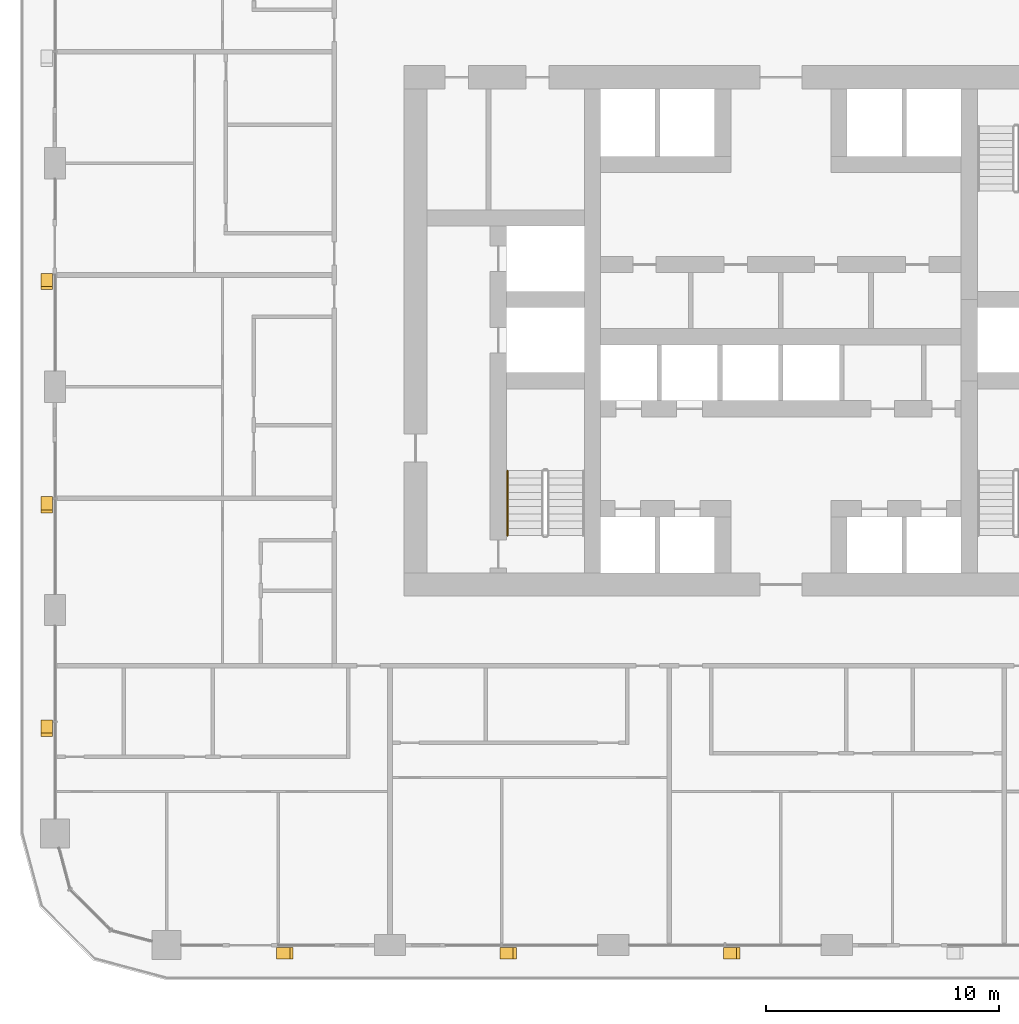
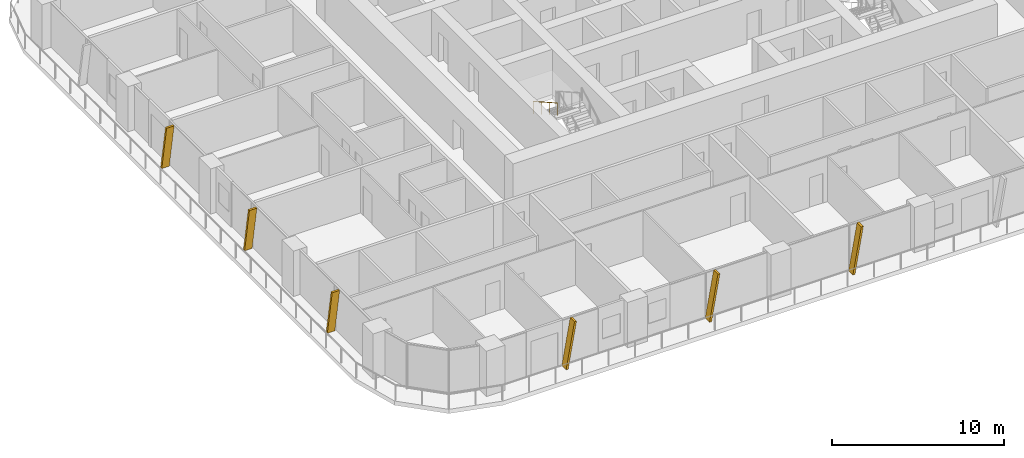
# One storey, part 16 of 21: 6 shading devices, 1 railing.
"""IFC4 building model written with IfcOpenShell, lengths in metres."""

from ifc_helpers import new_model, si_unit, direction, frame, origin, origin_2d, place, context, subcontext, project, spatial, polyline, circle, outline, extrude, material, type_object, element, save


model = new_model("IFC4")

# Units and contexts
model_context = context("Model", 3, precision=1e-05, world=origin(), true_north=direction((0.0, 1.0)))
body_context = subcontext(model_context, "Body", "Model", "MODEL_VIEW")
ifc_project = project(units=[si_unit("LENGTHUNIT", "METRE"), si_unit("AREAUNIT", "SQUARE_METRE"), si_unit("VOLUMEUNIT", "CUBIC_METRE"), si_unit("PLANEANGLEUNIT", "RADIAN"), si_unit("MASSUNIT", "GRAM", prefix="KILO")], contexts=[model_context])

# Site, building, storey
site_placement = place(None, origin())
site = spatial("IfcSite", under=ifc_project, at=site_placement, CompositionType="ELEMENT")
building_placement = place(site_placement, origin())
building = spatial("IfcBuilding", under=site, at=building_placement, Name="Madar Terraces", CompositionType="ELEMENT")
storey_placement = place(building_placement, frame((0.0, 0.0, 46.89990234375)))
storey = spatial("IfcBuildingStorey", under=building, at=storey_placement, Name="L11", CompositionType="ELEMENT", Elevation=46.89990234375)

# Shading devices
ifc_material_1 = material(Name="Aluminium, black anodised", Category="aluminium")
shading_device_type = type_object("IfcShadingDeviceType", Name="Facade fin blade 140 x 500", PredefinedType="USERDEFINED", material=ifc_material_1)
shading_device_1_placement = place(storey_placement, frame((9.530029296875, -0.35009765625, 0.0), z_axis=(0.0, 0.0, 1.0), x_axis=(1.0, 0.0, 0.0)))
element("IfcShadingDevice", 1, at=shading_device_1_placement, inside=storey, type_object=shading_device_type, Name="FIN L11 S1", ObjectType="FIN", PredefinedType="USERDEFINED", context=body_context, shape_type="SweptSolid", body=[
    extrude(outline(polyline([(0.0, 0.0), (0.139892578125, 0.0), (0.704345703125, 3.2001953125), (0.564208984375, 3.2001953125), (0.0, 0.0)])), frame((0.0, 0.25, 0.0), z_axis=(0.0, -1.0, 0.0), x_axis=(1.0, 0.0, 0.0)), (0.0, 0.0, 1.0), 0.5),
])
for number, where, z_axis, x_axis, name in (
    (2, (19.1298828125, -0.35009765625, 0.0), (0.0, 0.0, 1.0), (1.0, 0.0, 0.0), "FIN L11 S2"),
    (3, (28.72998046875, -0.35009765625, 0.0), (0.0, 0.0, 1.0), (1.0, 0.0, 0.0), "FIN L11 S3"),
    (4, (-0.35009765625, 28.8701171875, 0.0), (0.0, 0.0, 1.0), (0.0, -1.0, 0.0), "FIN L11 W2"),
    (5, (-0.35009765625, 19.27001953125, 0.0), (0.0, 0.0, 1.0), (0.0, -1.0, 0.0), "FIN L11 W3"),
):
    element("IfcShadingDevice", number, at=place(storey_placement, frame(where, z_axis=z_axis, x_axis=x_axis)), inside=storey, type_object=shading_device_type, Name=name, ObjectType="FIN", PredefinedType="USERDEFINED", context=body_context, shape_type="SweptSolid", body=[
        extrude(outline(polyline([(0.0, 0.0), (0.14013671875, 0.0), (0.704345703125, 3.2001953125), (0.564208984375, 3.2001953125), (0.0, 0.0)])), frame((0.0, 0.25, 0.0), z_axis=(0.0, -1.0, 0.0), x_axis=(1.0, 0.0, 0.0)), (0.0, 0.0, 1.0), 0.5),
    ])
shading_device_2_placement = place(storey_placement, frame((-0.35009765625, 9.669921875, 0.0), z_axis=(0.0, 0.0, 1.0), x_axis=(0.0, -1.0, 0.0)))
element("IfcShadingDevice", 6, at=shading_device_2_placement, inside=storey, type_object=shading_device_type, Name="FIN L11 W4", ObjectType="FIN", PredefinedType="USERDEFINED", context=body_context, shape_type="SweptSolid", body=[
    extrude(outline(polyline([(0.0, 0.0), (0.139892578125, 0.0), (0.704345703125, 3.2001953125), (0.564208984375, 3.2001953125), (0.0, 0.0)])), frame((0.0, 0.25, 0.0), z_axis=(0.0, -1.0, 0.0), x_axis=(1.0, 0.0, 0.0)), (0.0, 0.0, 1.0), 0.5),
])

# Railing
ifc_material_2 = material(Name="Stainless steel railing", Category="steel")
railing_type = type_object("IfcRailingType", Name="Stair handrail 900", PredefinedType="HANDRAIL", material=ifc_material_2)
railing_placement = place(storey_placement, frame((19.449951171875, 20.389892578125, 1.925048828125)))
element("IfcRailing", 7, at=railing_placement, inside=storey, type_object=railing_type, Name="L11 ST1 stair handrail 2", PredefinedType="HANDRAIL", context=body_context, shape_type="SweptSolid", body=[
    extrude(circle(Radius=0.02392578125, at=origin_2d()), frame((0.0, 0.0, 0.8759765625), z_axis=(0.0, -0.870815363784, 0.491610213684), x_axis=(1.0, 0.0, 0.0)), (0.0, 0.0, 1.0), 3.20361328125),
    extrude(circle(Radius=0.02099609375, at=origin_2d()), origin(), (0.0, 0.0, 1.0), 0.851806640625),
    extrude(circle(Radius=0.02099609375, at=origin_2d()), frame((0.0, -0.929931640625, 0.52490234375)), (0.0, 0.0, 1.0), 0.851806640625),
    extrude(circle(Radius=0.02099609375, at=origin_2d()), frame((0.0, -1.85986328125, 1.050048828125)), (0.0, 0.0, 1.0), 0.851806640625),
    extrude(circle(Radius=0.02099609375, at=origin_2d()), frame((0.0, -2.789794921875, 1.574951171875)), (0.0, 0.0, 1.0), 0.851806640625),
])

save(model, "model.ifc")
